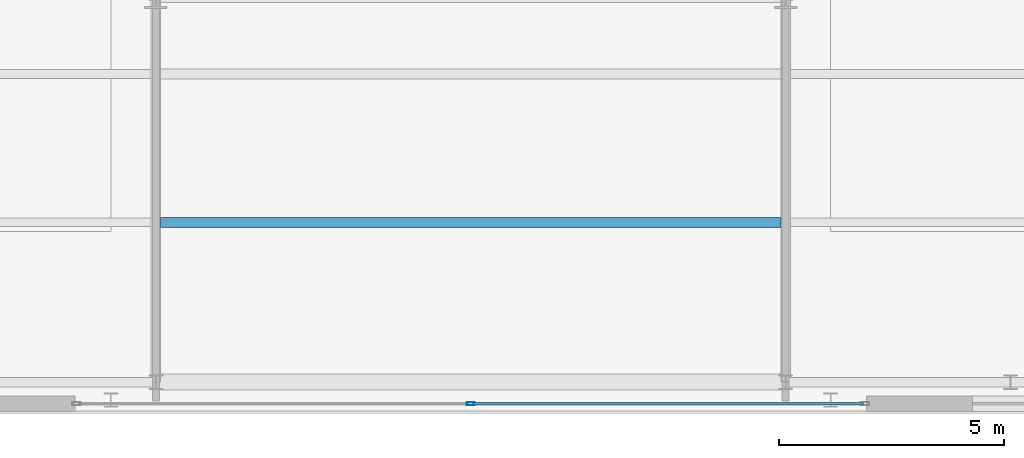
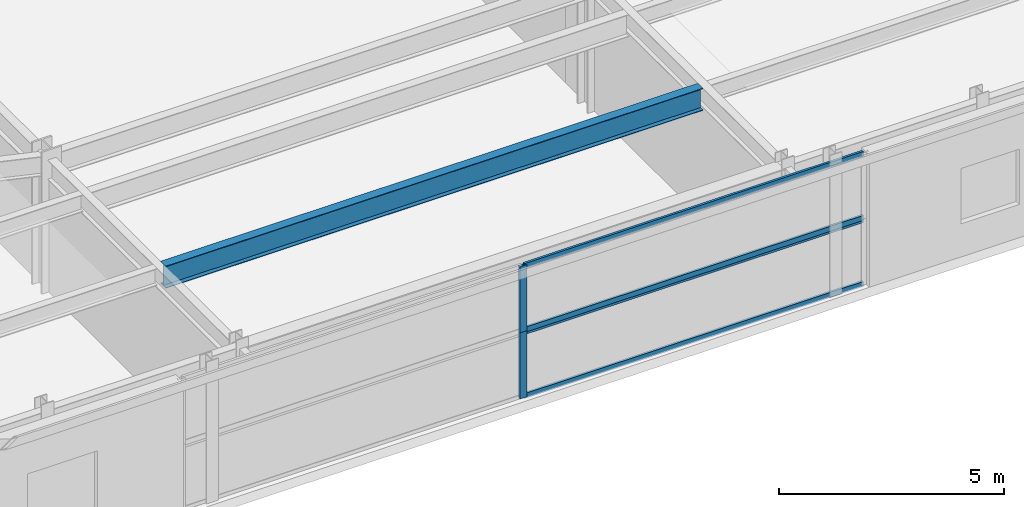
# One storey, part 12 of 26: 6 members, 1 beam, 2 elements without a shape of their own.
"""IFC4 building model written with IfcOpenShell, lengths in metres."""

from ifc_helpers import new_model, si_unit, direction, frame, origin, origin_2d, place, context, subcontext, project, spatial, hollow_rectangle, i_section, extrude, source, transform, mapped, material, layer, layer_set, material_profile, profile_set, type_object, element, aggregate, save


model = new_model("IFC4")

# Units and contexts
model_context = context("Model", 3, precision=1e-05, world=origin(), true_north=direction((0.0, 1.0)))
body_context = subcontext(model_context, "Body", "Model", "MODEL_VIEW")
ifc_project = project(units=[si_unit("LENGTHUNIT", "METRE"), si_unit("AREAUNIT", "SQUARE_METRE"), si_unit("VOLUMEUNIT", "CUBIC_METRE"), si_unit("PLANEANGLEUNIT", "RADIAN"), si_unit("MASSUNIT", "GRAM", prefix="KILO")], contexts=[model_context])

# Site, building, storey
site_placement = place(None, origin())
site = spatial("IfcSite", under=ifc_project, at=site_placement, CompositionType="ELEMENT")
building_placement = place(site_placement, origin())
building = spatial("IfcBuilding", under=site, at=building_placement, Name="Taldren Reach Tower", CompositionType="ELEMENT")
storey_placement = place(building_placement, frame((0.0, 0.0, 4.550048828125)))
storey = spatial("IfcBuildingStorey", under=building, at=storey_placement, Name="L01", CompositionType="ELEMENT", Elevation=4.550048828125)

# Beam
ifc_material_1 = material(Name="Steel Gr 350 (350PLUS)", Category="steel")
ifc_material_profile_1 = material_profile(ifc_material_1, i_section(OverallWidth=0.22802734375, OverallDepth=0.60205078125, WebThickness=0.010498046875, FlangeThickness=0.014892578125, at=origin_2d()), Name="610UB101")
ifc_profile_set_1 = profile_set([ifc_material_profile_1], Name="Steel Gr 350 (350PLUS)")
beam_type = type_object("IfcBeamType", Name="BM-UB610B", PredefinedType="BEAM", material=ifc_profile_set_1)
shared_shape_1 = source(origin(), body_context, "Body", "SweptSolid", [
    extrude(i_section(OverallWidth=0.22802734375, OverallDepth=0.60205078125, WebThickness=0.010498046875, FlangeThickness=0.014892578125, at=origin_2d()), origin(), (0.0, 0.0, 1.0), 13.791015625),
])
beam_placement = place(storey_placement, frame((28.1044921875, 4.199951171875, 3.2890625), z_axis=(1.0, 0.0, 0.0), x_axis=(0.0, 1.0, 0.0)))
element("IfcBeam", 1, at=beam_placement, inside=storey, type_object=beam_type, Name="Podium composite floor beam L01-1.2", PredefinedType="BEAM", context=body_context, shape_type="MappedRepresentation", body=[
    mapped(shared_shape_1, transform((0.0, 0.0, 0.0), scale=1.0)),
])

# Curtain wall, member
ifc_material_2 = material(Name="Aluminium and Low-E Glass Unitised System", Category="aluminium")
ifc_layer = layer(ifc_material_2, 0.159912109375)
ifc_layer_set = layer_set([ifc_layer], Name="Aluminium and Low-E Glass Unitised System")
curtain_wall_type = type_object("IfcCurtainWallType", Name="CW-SYS-1", PredefinedType="NOTDEFINED", material=ifc_layer_set)
curtain_wall_1_placement = place(storey_placement, origin())
curtain_wall_1 = element("IfcCurtainWall", 2, at=curtain_wall_1_placement, inside=storey, type_object=curtain_wall_type, Name="Unitised curtain wall CW1-L01-S2", PredefinedType="NOTDEFINED")
ifc_material_3 = material(Name="Anodised Aluminium 6063-T6", Category="aluminium")
ifc_material_profile_2 = material_profile(ifc_material_3, hollow_rectangle(XDim=0.070068359375, YDim=0.179931640625, WallThickness=0.00390625, at=origin_2d()), Name="ALU-180x70x4RHS")
ifc_profile_set_2 = profile_set([ifc_material_profile_2], Name="Anodised Aluminium 6063-T6")
member_type_1 = type_object("IfcMemberType", Name="CW-MUL-180", PredefinedType="MULLION", material=ifc_profile_set_2)
shared_shape_2 = source(origin(), body_context, "Body", "SweptSolid", [
    extrude(hollow_rectangle(XDim=0.070068359375, YDim=0.179931640625, WallThickness=0.00390625, at=origin_2d()), origin(), (0.0, 0.0, 1.0), 1.794921875),
])
member_1_placement = place(storey_placement, frame((35.0, 0.169921875, 0.0), z_axis=(0.0, 0.0, 1.0), x_axis=(0.0, 1.0, 0.0)))
member_1 = element("IfcMember", 3, at=member_1_placement, type_object=member_type_1, Name="CW-1 mullion 2", PredefinedType="MULLION", context=body_context, shape_type="MappedRepresentation", body=[
    mapped(shared_shape_2, transform((0.0, 0.0, 0.0), scale=1.0)),
])

curtain_wall_2_placement = place(storey_placement, origin())
curtain_wall_2 = element("IfcCurtainWall", 4, at=curtain_wall_2_placement, inside=storey, type_object=curtain_wall_type, Name="Unitised curtain wall CW1-L01-S2-T2", PredefinedType="NOTDEFINED")
member_2_placement = place(storey_placement, frame((35.0, 0.169921875, 1.794921875), z_axis=(0.0, 0.0, 1.0), x_axis=(0.0, 1.0, 0.0)))
member_2 = element("IfcMember", 5, at=member_2_placement, type_object=member_type_1, Name="CW-1 mullion 2", PredefinedType="MULLION", context=body_context, shape_type="MappedRepresentation", body=[
    mapped(shared_shape_2, transform((0.0, 0.0, 0.0), scale=1.0)),
])

# Member
ifc_material_profile_3 = material_profile(ifc_material_3, hollow_rectangle(XDim=0.06005859375, YDim=0.135009765625, WallThickness=0.00341796875, at=origin_2d()), Name="ALU-135x60x3.5RHS")
ifc_profile_set_3 = profile_set([ifc_material_profile_3], Name="Anodised Aluminium 6063-T6")
member_type_2 = type_object("IfcMemberType", Name="CW-TRN-150", PredefinedType="USERDEFINED", material=ifc_profile_set_3)
shared_shape_3 = source(origin(), body_context, "Body", "SweptSolid", [
    extrude(hollow_rectangle(XDim=0.06005859375, YDim=0.135009765625, WallThickness=0.00341796875, at=origin_2d()), origin(), (0.0, 0.0, 1.0), 8.695068359375),
])
member_3_placement = place(storey_placement, frame((35.034912109375, 0.169921875, 0.030029296875), z_axis=(1.0, 0.0, 0.0), x_axis=(0.0, 1.0, 0.0)))
member_3 = element("IfcMember", 6, at=member_3_placement, type_object=member_type_2, Name="CW-1 transom 2.1", ObjectType="TRANSOM", PredefinedType="USERDEFINED", context=body_context, shape_type="MappedRepresentation", body=[
    mapped(shared_shape_3, transform((0.0, 0.0, 0.0), scale=1.0)),
])

member_4_placement = place(storey_placement, frame((35.034912109375, 0.169921875, 1.764892578125), z_axis=(1.0, 0.0, 0.0), x_axis=(0.0, 1.0, 0.0)))
member_4 = element("IfcMember", 7, at=member_4_placement, type_object=member_type_2, Name="CW-1 transom 2.2", ObjectType="TRANSOM", PredefinedType="USERDEFINED", context=body_context, shape_type="MappedRepresentation", body=[
    mapped(shared_shape_3, transform((0.0, 0.0, 0.0), scale=1.0)),
])

aggregate(curtain_wall_1, [member_1, member_3, member_4])

member_5_placement = place(storey_placement, frame((35.034912109375, 0.169921875, 1.824951171875), z_axis=(1.0, 0.0, 0.0), x_axis=(0.0, 1.0, 0.0)))
member_5 = element("IfcMember", 8, at=member_5_placement, type_object=member_type_2, Name="CW-1 transom 2.1", ObjectType="TRANSOM", PredefinedType="USERDEFINED", context=body_context, shape_type="MappedRepresentation", body=[
    mapped(shared_shape_3, transform((0.0, 0.0, 0.0), scale=1.0)),
])

member_6_placement = place(storey_placement, frame((35.034912109375, 0.169921875, 3.56005859375), z_axis=(1.0, 0.0, 0.0), x_axis=(0.0, 1.0, 0.0)))
member_6 = element("IfcMember", 9, at=member_6_placement, type_object=member_type_2, Name="CW-1 transom 2.2", ObjectType="TRANSOM", PredefinedType="USERDEFINED", context=body_context, shape_type="MappedRepresentation", body=[
    mapped(shared_shape_3, transform((0.0, 0.0, 0.0), scale=1.0)),
])

aggregate(curtain_wall_2, [member_2, member_5, member_6])

save(model, "model.ifc")
